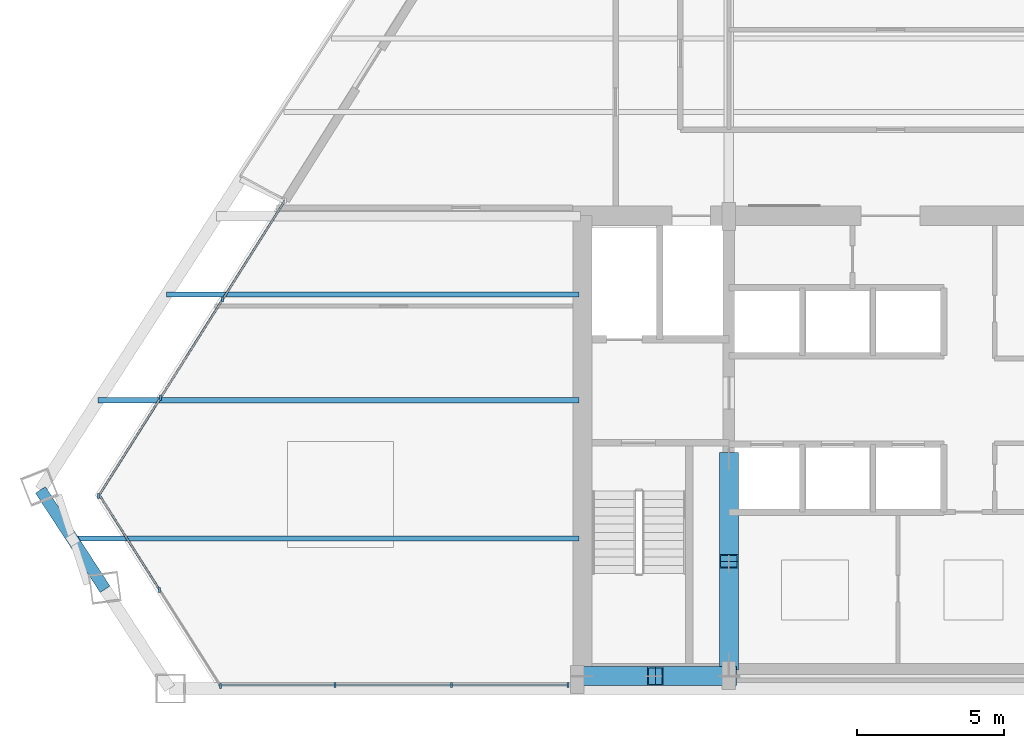
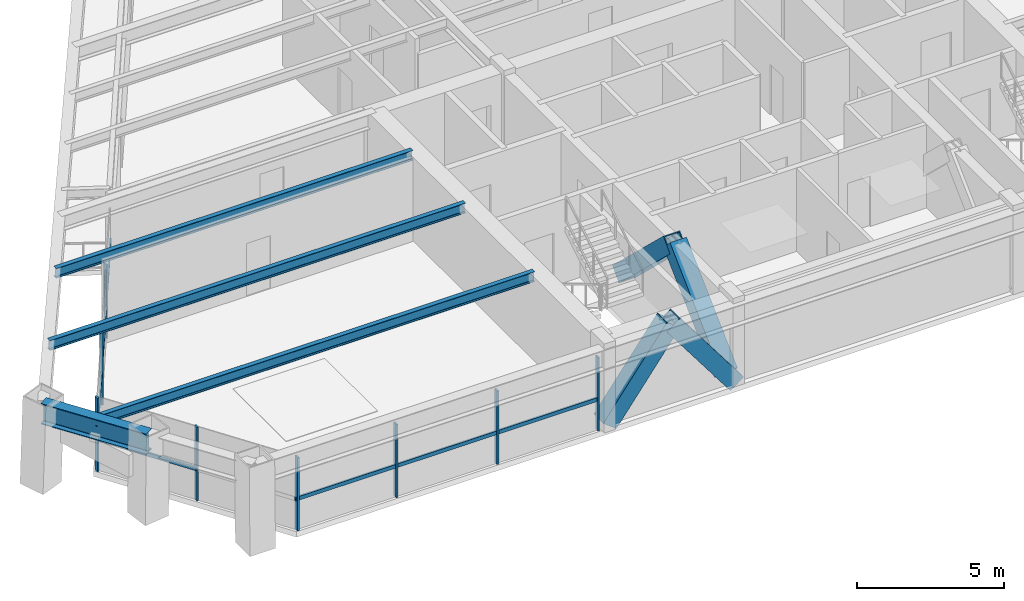
# One storey, part 2 of 15: 19 members, 4 beams, 3 elements without a shape of their own.
"""IFC4 building model written with IfcOpenShell, lengths in metres."""

from ifc_helpers import new_model, si_unit, direction, frame, origin, origin_2d, place, context, subcontext, project, spatial, rectangle, hollow_rectangle, i_section, extrude, source, transform, mapped, material, material_profile, profile_set, type_object, element, aggregate, save


model = new_model("IFC4")

# Units and contexts
model_context = context("Model", 3, precision=1e-05, world=origin(), true_north=direction((0.0, 1.0)))
body_context = subcontext(model_context, "Body", "Model", "MODEL_VIEW")
ifc_project = project(units=[si_unit("LENGTHUNIT", "METRE"), si_unit("AREAUNIT", "SQUARE_METRE"), si_unit("VOLUMEUNIT", "CUBIC_METRE"), si_unit("PLANEANGLEUNIT", "RADIAN"), si_unit("MASSUNIT", "GRAM", prefix="KILO")], contexts=[model_context])

# Site, building, storey
site_placement = place(None, origin())
site = spatial("IfcSite", under=ifc_project, at=site_placement, CompositionType="ELEMENT")
building_placement = place(site_placement, origin())
building = spatial("IfcBuilding", under=site, at=building_placement, Name="Varnakhor Terracotta Tower", CompositionType="ELEMENT")
storey_placement = place(building_placement, frame((0.0, 0.0, 171.0)))
storey = spatial("IfcBuildingStorey", under=building, at=storey_placement, Name="L43", CompositionType="ELEMENT", Elevation=171.0)

# Members
ifc_material_1 = material(Name="Steel S460", Category="steel")
ifc_material_profile_1 = material_profile(ifc_material_1, hollow_rectangle(XDim=0.64990234375, YDim=0.64990234375, WallThickness=0.0400390625, at=origin_2d()), Name="HSS650X650X40")
ifc_profile_set_1 = profile_set([ifc_material_profile_1], Name="Steel S460")
member_type_1 = type_object("IfcMemberType", Name="MBR-MEGA-650", PredefinedType="BRACE", material=ifc_profile_set_1)
shared_shape_1 = source(origin(), body_context, "Body", "SweptSolid", [
    extrude(hollow_rectangle(XDim=0.64990234375, YDim=0.64990234375, WallThickness=0.0400390625, at=origin_2d()), origin(), (0.0, 0.0, 1.0), 4.805908203125),
])
member_1_placement = place(storey_placement, frame((-5.5, 0.85009765625, 0.0), z_axis=(0.0, 0.723026776832, 0.69082000549), x_axis=(-1.0, 0.0, 0.0)))
element("IfcMember", 1, at=member_1_placement, inside=storey, type_object=member_type_1, Name="L43 Core Coupled Brace CWWA", PredefinedType="BRACE", context=body_context, shape_type="MappedRepresentation", body=[
    mapped(shared_shape_1, transform((0.0, 0.0, 0.0), scale=1.0)),
])
shared_shape_2 = source(origin(), body_context, "Body", "SweptSolid", [
    extrude(hollow_rectangle(XDim=0.64990234375, YDim=0.64990234375, WallThickness=0.0400390625, at=origin_2d()), origin(), (0.0, 0.0, 1.0), 4.156005859375),
])
for number, where, z_axis, x_axis, name in (
    (2, (-10.5, 0.419921875, 0.0), (0.601530923869, 0.0, 0.798849515009), (0.0, 1.0, 0.0), "L43 Core Coupled Brace CSWA"),
    (3, (-5.5, 0.419921875, 0.0), (-0.601530923869, 0.0, 0.798849515009), (0.0, -1.0, 0.0), "L43 Core Coupled Brace CSWB"),
):
    element("IfcMember", number, at=place(storey_placement, frame(where, z_axis=z_axis, x_axis=x_axis)), inside=storey, type_object=member_type_1, Name=name, PredefinedType="BRACE", context=body_context, shape_type="MappedRepresentation", body=[
        mapped(shared_shape_2, transform((0.0, 0.0, 0.0), scale=1.0)),
    ])
shared_shape_3 = source(origin(), body_context, "Body", "SweptSolid", [
    extrude(hollow_rectangle(XDim=0.64990234375, YDim=0.64990234375, WallThickness=0.0400390625, at=origin_2d()), origin(), (0.0, 0.0, 1.0), 4.80615234375),
])
member_2_placement = place(storey_placement, frame((-5.5, 7.800048828125, 0.0), z_axis=(0.0, -0.723051018573, 0.690794632681), x_axis=(1.0, 0.0, 0.0)))
element("IfcMember", 4, at=member_2_placement, inside=storey, type_object=member_type_1, Name="L43 Core Coupled Brace CWWB", PredefinedType="BRACE", context=body_context, shape_type="MappedRepresentation", body=[
    mapped(shared_shape_3, transform((0.0, 0.0, 0.0), scale=1.0)),
])

# Beams
ifc_material_2 = material(Name="Steel S355", Category="steel")
ifc_material_profile_2 = material_profile(ifc_material_2, i_section(OverallWidth=0.39990234375, OverallDepth=0.85498046875, WebThickness=0.01806640625, FlangeThickness=0.029052734375, FilletRadius=0.01806640625, at=origin_2d()), Name="W33X201")
ifc_profile_set_2 = profile_set([ifc_material_profile_2], Name="Steel S355")
beam_type_1 = type_object("IfcBeamType", Name="BM-W33X201", PredefinedType="BEAM", material=ifc_profile_set_2)
shared_shape_4 = source(origin(), body_context, "Body", "SweptSolid", [
    extrude(i_section(OverallWidth=0.39990234375, OverallDepth=0.85498046875, WebThickness=0.01806640625, FlangeThickness=0.029052734375, FilletRadius=0.01806640625, at=origin_2d()), origin(), (0.0, 0.0, 1.0), 4.028564453125),
])
beam_1_placement = place(storey_placement, frame((-28.90380859375, 6.7529296875, 3.04248046875), z_axis=(0.545435613307, -0.838152725782, 0.0), x_axis=(0.838152725782, 0.545435613307, 0.0)))
element("IfcBeam", 5, at=beam_1_placement, inside=storey, type_object=beam_type_1, Name="L43 Perimeter Spandrel 7", PredefinedType="BEAM", context=body_context, shape_type="MappedRepresentation", body=[
    mapped(shared_shape_4, transform((0.0, 0.0, 0.0), scale=1.0)),
])
ifc_material_profile_3 = material_profile(ifc_material_2, i_section(OverallWidth=0.179931640625, OverallDepth=0.4130859375, WebThickness=0.009765625, FlangeThickness=0.01611328125, FilletRadius=0.01806640625, at=origin_2d()), Name="W16X50")
ifc_profile_set_3 = profile_set([ifc_material_profile_3], Name="Steel S355")
beam_type_2 = type_object("IfcBeamType", Name="JST-W16X50", PredefinedType="JOIST", material=ifc_profile_set_3)
shared_shape_5 = source(origin(), body_context, "Body", "SweptSolid", [
    extrude(i_section(OverallWidth=0.179931640625, OverallDepth=0.4130859375, WebThickness=0.009765625, FlangeThickness=0.01611328125, FilletRadius=0.01806640625, at=origin_2d()), origin(), (0.0, 0.0, 1.0), 17.22802734375),
])
beam_2_placement = place(storey_placement, frame((-27.828125, 5.10009765625, 3.263427734375), z_axis=(1.0, 0.0, 0.0), x_axis=(0.0, 1.0, 0.0)))
element("IfcBeam", 6, at=beam_2_placement, inside=storey, type_object=beam_type_2, Name="L43 Floor Joist W1", PredefinedType="JOIST", context=body_context, shape_type="MappedRepresentation", body=[
    mapped(shared_shape_5, transform((0.0, 0.0, 0.0), scale=1.0)),
])
shared_shape_6 = source(origin(), body_context, "Body", "SweptSolid", [
    extrude(i_section(OverallWidth=0.179931640625, OverallDepth=0.4130859375, WebThickness=0.009765625, FlangeThickness=0.01611328125, FilletRadius=0.01806640625, at=origin_2d()), origin(), (0.0, 0.0, 1.0), 16.339599609375),
])
beam_3_placement = place(storey_placement, frame((-26.939697265625, 9.800048828125, 3.263427734375), z_axis=(1.0, 0.0, 0.0), x_axis=(0.0, 1.0, 0.0)))
element("IfcBeam", 7, at=beam_3_placement, inside=storey, type_object=beam_type_2, Name="L43 Floor Joist W2", PredefinedType="JOIST", context=body_context, shape_type="MappedRepresentation", body=[
    mapped(shared_shape_6, transform((0.0, 0.0, 0.0), scale=1.0)),
])
shared_shape_7 = source(origin(), body_context, "Body", "SweptSolid", [
    extrude(i_section(OverallWidth=0.179931640625, OverallDepth=0.4130859375, WebThickness=0.009765625, FlangeThickness=0.01611328125, FilletRadius=0.01806640625, at=origin_2d()), origin(), (0.0, 0.0, 1.0), 14.018798828125),
])
beam_4_placement = place(storey_placement, frame((-24.618896484375, 13.39990234375, 3.263427734375), z_axis=(1.0, 0.0, 0.0), x_axis=(0.0, 1.0, 0.0)))
element("IfcBeam", 8, at=beam_4_placement, inside=storey, type_object=beam_type_2, Name="L43 Floor Joist W3", PredefinedType="JOIST", context=body_context, shape_type="MappedRepresentation", body=[
    mapped(shared_shape_7, transform((0.0, 0.0, 0.0), scale=1.0)),
])

# Curtain wall, members
ifc_material_3 = material(Name="Anodised Aluminium Curtain Wall System", Category="aluminium")
curtain_wall_type = type_object("IfcCurtainWallType", Name="CW-SYS-MID-OFFICE", PredefinedType="NOTDEFINED", material=ifc_material_3)
curtain_wall_1_placement = place(storey_placement, origin())
curtain_wall_1 = element("IfcCurtainWall", 9, at=curtain_wall_1_placement, inside=storey, type_object=curtain_wall_type, Name="L43 W Facet Curtain Wall 1", PredefinedType="NOTDEFINED")
ifc_material_4 = material(Name="Anodised Aluminium 6063-T6", Category="aluminium")
ifc_material_profile_4 = material_profile(ifc_material_4, rectangle(XDim=0.070068359375, YDim=0.175048828125, at=origin_2d()), Name="ALU MULLION 70x175")
ifc_profile_set_4 = profile_set([ifc_material_profile_4], Name="Anodised Aluminium 6063-T6")
member_type_2 = type_object("IfcMemberType", Name="CWM-03", PredefinedType="MULLION", material=ifc_profile_set_4)
shared_shape_8 = source(origin(), body_context, "Body", "SweptSolid", [
    extrude(rectangle(XDim=0.070068359375, YDim=0.175048828125, at=origin_2d()), origin(), (0.0, 0.0, 1.0), 3.050048828125),
])
member_3_placement = place(storey_placement, frame((-26.926025390625, 6.543212890625, 0.0), z_axis=(0.0, 0.0, 1.0), x_axis=(1.0, 0.0, 0.0)))
member_3 = element("IfcMember", 10, at=member_3_placement, type_object=member_type_2, Name="L43 W Facet Curtain Wall 1 Mullion 1", PredefinedType="MULLION", context=body_context, shape_type="MappedRepresentation", body=[
    mapped(shared_shape_8, transform((0.0, 0.0, 0.0), scale=1.0)),
])
member_4_placement = place(storey_placement, frame((-24.817138671875, 9.887451171875, 0.0), z_axis=(0.0, 0.0, 1.0), x_axis=(1.0, 0.0, 0.0)))
member_4 = element("IfcMember", 11, at=member_4_placement, type_object=member_type_2, Name="L43 W Facet Curtain Wall 1 Mullion 2", PredefinedType="MULLION", context=body_context, shape_type="MappedRepresentation", body=[
    mapped(shared_shape_8, transform((0.0, 0.0, 0.0), scale=1.0)),
])
member_5_placement = place(storey_placement, frame((-22.708251953125, 13.231689453125, 0.0), z_axis=(0.0, 0.0, 1.0), x_axis=(1.0, 0.0, 0.0)))
member_5 = element("IfcMember", 12, at=member_5_placement, type_object=member_type_2, Name="L43 W Facet Curtain Wall 1 Mullion 3", PredefinedType="MULLION", context=body_context, shape_type="MappedRepresentation", body=[
    mapped(shared_shape_8, transform((0.0, 0.0, 0.0), scale=1.0)),
])

curtain_wall_2_placement = place(storey_placement, origin())
curtain_wall_2 = element("IfcCurtainWall", 13, at=curtain_wall_2_placement, inside=storey, type_object=curtain_wall_type, Name="L43 South Wing Curtain Wall SSW", PredefinedType="NOTDEFINED")
member_6_placement = place(storey_placement, frame((-10.969970703125, 0.1201171875, 0.0), z_axis=(0.0, 0.0, 1.0), x_axis=(1.0, 0.0, 0.0)))
member_6 = element("IfcMember", 14, at=member_6_placement, type_object=member_type_2, Name="L43 South Wing Curtain Wall SSW Mullion 1", PredefinedType="MULLION", context=body_context, shape_type="MappedRepresentation", body=[
    mapped(shared_shape_8, transform((0.0, 0.0, 0.0), scale=1.0)),
])
member_7_placement = place(storey_placement, frame((-14.931884765625, 0.1201171875, 0.0), z_axis=(0.0, 0.0, 1.0), x_axis=(1.0, 0.0, 0.0)))
member_7 = element("IfcMember", 15, at=member_7_placement, type_object=member_type_2, Name="L43 South Wing Curtain Wall SSW Mullion 2", PredefinedType="MULLION", context=body_context, shape_type="MappedRepresentation", body=[
    mapped(shared_shape_8, transform((0.0, 0.0, 0.0), scale=1.0)),
])
member_8_placement = place(storey_placement, frame((-18.893798828125, 0.1201171875, 0.0), z_axis=(0.0, 0.0, 1.0), x_axis=(1.0, 0.0, 0.0)))
member_8 = element("IfcMember", 16, at=member_8_placement, type_object=member_type_2, Name="L43 South Wing Curtain Wall SSW Mullion 3", PredefinedType="MULLION", context=body_context, shape_type="MappedRepresentation", body=[
    mapped(shared_shape_8, transform((0.0, 0.0, 0.0), scale=1.0)),
])

curtain_wall_3_placement = place(storey_placement, origin())
curtain_wall_3 = element("IfcCurtainWall", 17, at=curtain_wall_3_placement, inside=storey, type_object=curtain_wall_type, Name="L43 Facet Curtain Wall 6", PredefinedType="NOTDEFINED")
member_9_placement = place(storey_placement, frame((-22.780517578125, 0.089599609375, 0.0), z_axis=(0.0, 0.0, 1.0), x_axis=(1.0, 0.0, 0.0)))
member_9 = element("IfcMember", 18, at=member_9_placement, type_object=member_type_2, Name="L43 Facet Curtain Wall 6 Mullion 1", PredefinedType="MULLION", context=body_context, shape_type="MappedRepresentation", body=[
    mapped(shared_shape_8, transform((0.0, 0.0, 0.0), scale=1.0)),
])
member_10_placement = place(storey_placement, frame((-24.853271484375, 3.355224609375, 0.0), z_axis=(0.0, 0.0, 1.0), x_axis=(1.0, 0.0, 0.0)))
member_10 = element("IfcMember", 19, at=member_10_placement, type_object=member_type_2, Name="L43 Facet Curtain Wall 6 Mullion 2", PredefinedType="MULLION", context=body_context, shape_type="MappedRepresentation", body=[
    mapped(shared_shape_8, transform((0.0, 0.0, 0.0), scale=1.0)),
])

# Member
ifc_material_profile_5 = material_profile(ifc_material_4, rectangle(XDim=0.070068359375, YDim=0.155029296875, at=origin_2d()), Name="ALU TRANSOM 70x155")
ifc_profile_set_5 = profile_set([ifc_material_profile_5], Name="Anodised Aluminium 6063-T6")
member_type_3 = type_object("IfcMemberType", Name="CWT-03", PredefinedType="USERDEFINED", material=ifc_profile_set_5)
shared_shape_9 = source(origin(), body_context, "Body", "SweptSolid", [
    extrude(rectangle(XDim=0.070068359375, YDim=0.155029296875, at=origin_2d()), origin(), (0.0, 0.0, 1.0), 3.95361328125),
])
member_11_placement = place(storey_placement, frame((-26.926025390625, 6.543212890625, 1.281005859375), z_axis=(0.533402744512, 0.845861402446, 0.0), x_axis=(-0.845861402446, 0.533402744512, 0.0)))
member_11 = element("IfcMember", 20, at=member_11_placement, type_object=member_type_3, Name="L43 W Facet Curtain Wall 1 Transom 1", ObjectType="TRANSOM", PredefinedType="USERDEFINED", context=body_context, shape_type="MappedRepresentation", body=[
    mapped(shared_shape_9, transform((0.0, 0.0, 0.0), scale=1.0)),
])

member_12_placement = place(storey_placement, frame((-24.817138671875, 9.887451171875, 1.281005859375), z_axis=(0.533402744512, 0.845861402446, 0.0), x_axis=(-0.845861402446, 0.533402744512, 0.0)))
member_12 = element("IfcMember", 21, at=member_12_placement, type_object=member_type_3, Name="L43 W Facet Curtain Wall 1 Transom 2", ObjectType="TRANSOM", PredefinedType="USERDEFINED", context=body_context, shape_type="MappedRepresentation", body=[
    mapped(shared_shape_9, transform((0.0, 0.0, 0.0), scale=1.0)),
])

member_13_placement = place(storey_placement, frame((-22.708251953125, 13.231689453125, 1.281005859375), z_axis=(0.533358560828, 0.845889263196, 0.0), x_axis=(-0.845889263196, 0.533358560828, 0.0)))
member_13 = element("IfcMember", 22, at=member_13_placement, type_object=member_type_3, Name="L43 W Facet Curtain Wall 1 Transom 3", ObjectType="TRANSOM", PredefinedType="USERDEFINED", context=body_context, shape_type="MappedRepresentation", body=[
    mapped(shared_shape_9, transform((0.0, 0.0, 0.0), scale=1.0)),
])

aggregate(curtain_wall_1, [member_3, member_11, member_4, member_12, member_5, member_13])

shared_shape_10 = source(origin(), body_context, "Body", "SweptSolid", [
    extrude(rectangle(XDim=0.070068359375, YDim=0.155029296875, at=origin_2d()), origin(), (0.0, 0.0, 1.0), 3.9619140625),
])
member_14_placement = place(storey_placement, frame((-10.969970703125, 0.1201171875, 1.281005859375), z_axis=(-1.0, 0.0, 0.0), x_axis=(0.0, -1.0, 0.0)))
member_14 = element("IfcMember", 23, at=member_14_placement, type_object=member_type_3, Name="L43 South Wing Curtain Wall SSW Transom 1", ObjectType="TRANSOM", PredefinedType="USERDEFINED", context=body_context, shape_type="MappedRepresentation", body=[
    mapped(shared_shape_10, transform((0.0, 0.0, 0.0), scale=1.0)),
])

member_15_placement = place(storey_placement, frame((-14.931884765625, 0.1201171875, 1.281005859375), z_axis=(-1.0, 0.0, 0.0), x_axis=(0.0, -1.0, 0.0)))
member_15 = element("IfcMember", 24, at=member_15_placement, type_object=member_type_3, Name="L43 South Wing Curtain Wall SSW Transom 2", ObjectType="TRANSOM", PredefinedType="USERDEFINED", context=body_context, shape_type="MappedRepresentation", body=[
    mapped(shared_shape_10, transform((0.0, 0.0, 0.0), scale=1.0)),
])

member_16_placement = place(storey_placement, frame((-18.893798828125, 0.1201171875, 1.281005859375), z_axis=(-1.0, 0.0, 0.0), x_axis=(0.0, -1.0, 0.0)))
member_16 = element("IfcMember", 25, at=member_16_placement, type_object=member_type_3, Name="L43 South Wing Curtain Wall SSW Transom 3", ObjectType="TRANSOM", PredefinedType="USERDEFINED", context=body_context, shape_type="MappedRepresentation", body=[
    mapped(shared_shape_10, transform((0.0, 0.0, 0.0), scale=1.0)),
])

aggregate(curtain_wall_2, [member_6, member_14, member_7, member_15, member_8, member_16])

shared_shape_11 = source(origin(), body_context, "Body", "SweptSolid", [
    extrude(rectangle(XDim=0.070068359375, YDim=0.155029296875, at=origin_2d()), origin(), (0.0, 0.0, 1.0), 3.86767578125),
])
member_17_placement = place(storey_placement, frame((-24.853271484375, 3.355224609375, 1.281005859375), z_axis=(-0.535915301971, 0.844271750749, 0.0), x_axis=(-0.844271750749, -0.535915301971, 0.0)))
member_17 = element("IfcMember", 26, at=member_17_placement, type_object=member_type_3, Name="L43 Facet Curtain Wall 6 Transom 2", ObjectType="TRANSOM", PredefinedType="USERDEFINED", context=body_context, shape_type="MappedRepresentation", body=[
    mapped(shared_shape_11, transform((0.0, 0.0, 0.0), scale=1.0)),
])

aggregate(curtain_wall_3, [member_9, member_10, member_17])

save(model, "model.ifc")
